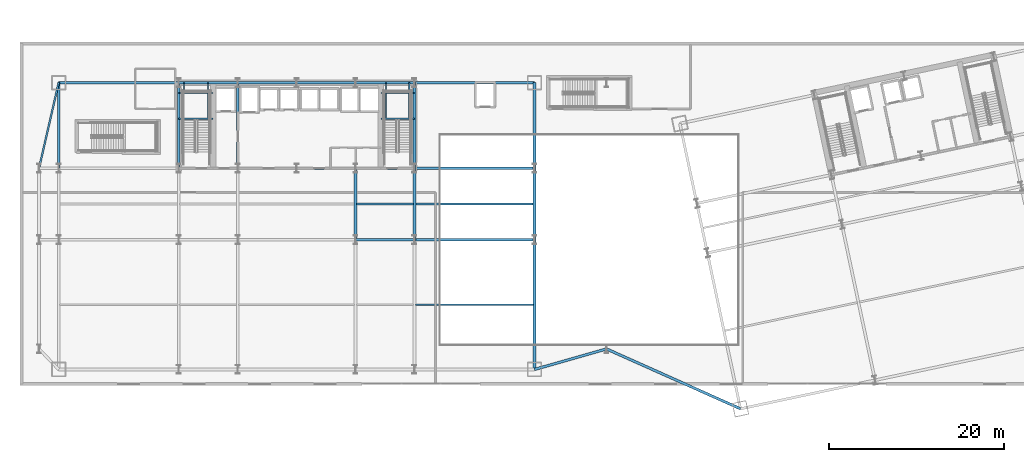
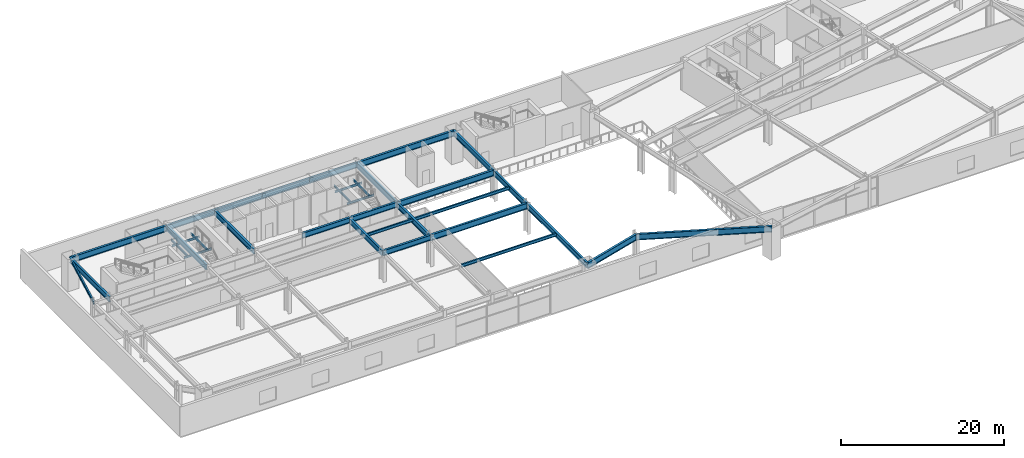
# One storey, part 7 of 25: 34 beams.
"""IFC4 building model written with IfcOpenShell, lengths in metres."""

import ifcopenshell
import ifcopenshell.guid

model = None  # the IFC model being written
_history = None  # IfcOwnerHistory: only IFC2X3 demands one
_inside = {}  # id of a spatial element -> (the spatial element, [elements in it])
_under = {}  # id of a project, library or spatial element -> (it, [spatial elements below it])
_declared = {}  # id of a project -> (the project, [libraries it declares])
_typed = {}  # id of a type object -> (the type object, [elements of that type])
_made_of = {}  # id of a material, layer set ... -> (it, [elements and type objects made of it])


def new_model(schema):
    """Start an empty IFC model of exactly this schema.

    Asked for "IFC4X3", IfcOpenShell would pick the latest addendum, in which some entities
    have other attributes; the version numbers below select the first issue.
    IFC2X3 requires an IfcOwnerHistory on every rooted entity: one is made here for all.
    """
    global model, _history
    if schema == "IFC4X3":
        model = ifcopenshell.file(schema_version=(4, 3, 0, 0))
    else:
        model = ifcopenshell.file(schema=schema)
    _inside.clear()
    _under.clear()
    _declared.clear()
    _typed.clear()
    _made_of.clear()
    _history = None
    if model.schema == "IFC2X3":
        org = make("IfcOrganization", Name="unknown")
        user = make(
            "IfcPersonAndOrganization",
            ThePerson=make("IfcPerson", FamilyName="unknown"),
            TheOrganization=org,
        )
        app = make(
            "IfcApplication",
            ApplicationDeveloper=org,
            Version="unknown",
            ApplicationFullName="unknown",
            ApplicationIdentifier="unknown",
        )
        _history = make(
            "IfcOwnerHistory",
            OwningUser=user,
            OwningApplication=app,
            ChangeAction="ADDED",
            CreationDate=0,
        )
    return model


def make(cls, **values):
    """One entity of the class cls with the attributes given. An attribute that is None is left unset."""
    return model.create_entity(
        cls, **{name: value for name, value in values.items() if value is not None}
    )


def rooted(cls, **values):
    """An entity with a GlobalId (a new one), such as an element, a storey or a relation."""
    return make(cls, GlobalId=ifcopenshell.guid.new(), OwnerHistory=_history, **values)


def si_unit(unit_type, name, prefix=None):
    """IfcSIUnit, for example si_unit("LENGTHUNIT", "METRE", prefix="MILLI")."""
    return make("IfcSIUnit", UnitType=unit_type, Prefix=prefix, Name=name)


def assignment(units):
    """IfcUnitAssignment: the units of a project."""
    return None if units is None else make("IfcUnitAssignment", Units=units)


def point(xyz):
    """IfcCartesianPoint."""
    return None if xyz is None else make("IfcCartesianPoint", Coordinates=xyz)


def direction(xyz):
    """IfcDirection."""
    return None if xyz is None else make("IfcDirection", DirectionRatios=xyz)


def frame(location, z_axis=None, x_axis=None):
    """IfcAxis2Placement3D, a coordinate frame: its origin and axes. An axis left out is left unset."""
    return make(
        "IfcAxis2Placement3D",
        Location=point(location),
        Axis=direction(z_axis),
        RefDirection=direction(x_axis),
    )


def frame_2d(location, x_axis=None):
    """IfcAxis2Placement2D, a coordinate frame in the plane: its origin and x axis."""
    return make(
        "IfcAxis2Placement2D", Location=point(location), RefDirection=direction(x_axis)
    )


def origin():
    """The frame at (0, 0, 0) with its axes left unset."""
    return frame((0.0, 0.0, 0.0))


def origin_2d():
    """The frame at (0, 0) in the plane with its x axis left unset."""
    return frame_2d((0.0, 0.0))


def place(relative_to, where):
    """IfcLocalPlacement: puts the frame where relative to a parent placement (None: the world)."""
    return make(
        "IfcLocalPlacement", PlacementRelTo=relative_to, RelativePlacement=where
    )


def context(
    kind, dimensions, precision=None, world=None, true_north=None, identifier=None
):
    """IfcGeometricRepresentationContext, for example the 3D "Model" context."""
    return make(
        "IfcGeometricRepresentationContext",
        ContextIdentifier=identifier,
        ContextType=kind,
        CoordinateSpaceDimension=dimensions,
        Precision=precision,
        WorldCoordinateSystem=world,
        TrueNorth=true_north,
    )


def subcontext(parent, identifier, kind, view, scale=None):
    """IfcGeometricRepresentationSubContext, for example "Body" below "Model"."""
    return make(
        "IfcGeometricRepresentationSubContext",
        ContextIdentifier=identifier,
        ContextType=kind,
        ParentContext=parent,
        TargetScale=scale,
        TargetView=view,
    )


def project(units=None, contexts=None):
    """IfcProject with its units and contexts."""
    return rooted(
        "IfcProject",
        Name="project",
        RepresentationContexts=contexts,
        UnitsInContext=assignment(units),
    )


def spatial(cls, under=None, at=None, **own):
    """A site, building, storey or space (cls), placed at a placement, below another one or the project."""
    s = rooted(cls, ObjectPlacement=at, **own)
    if under is not None:
        _under.setdefault(under.id(), (under, []))[1].append(s)
    return s


def profile(cls, at=None, kind="AREA", **sizes):
    """A parametric profile (cls). Its sizes go by their IFC names, for example OverallWidth=200.0."""
    return make(cls, ProfileType=kind, Position=at, **sizes)


def i_section(**sizes):
    """IfcIShapeProfileDef."""
    return profile("IfcIShapeProfileDef", **sizes)


def extrude(swept, where, along, depth):
    """IfcExtrudedAreaSolid: the profile swept, set in the frame where, extruded along a direction by depth."""
    return make(
        "IfcExtrudedAreaSolid",
        SweptArea=swept,
        Position=where,
        ExtrudedDirection=direction(along),
        Depth=depth,
    )


def shape(context_of_items, identifier, shape_type, items):
    """IfcShapeRepresentation: the items that make up one representation, for example the "Body"."""
    return make(
        "IfcShapeRepresentation",
        ContextOfItems=context_of_items,
        RepresentationIdentifier=identifier,
        RepresentationType=shape_type,
        Items=items,
    )


def material(Name=None, Category=None):
    """IfcMaterial."""
    return make("IfcMaterial", Name=Name, Category=Category)


def material_profile(
    of_material, cross_section, Name=None, Category=None, Priority=None
):
    """IfcMaterialProfile: a cross section and its material."""
    return make(
        "IfcMaterialProfile",
        Name=Name,
        Material=of_material,
        Profile=cross_section,
        Priority=Priority,
        Category=Category,
    )


def profile_set(profiles, Name=None, composite=None):
    """IfcMaterialProfileSet."""
    return make(
        "IfcMaterialProfileSet",
        Name=Name,
        MaterialProfiles=profiles,
        CompositeProfile=composite,
    )


def made_of(thing, what):
    """Note that an element or type object is made of a material, layer set ...; save() writes the relation."""
    if what is not None:
        _made_of.setdefault(what.id(), (what, []))[1].append(thing)
    return thing


def type_object(cls, material=None, **own):
    """A type object (cls), such as IfcWallType, which elements share."""
    return made_of(rooted(cls, **own), material)


def element(
    cls,
    number,
    at=None,
    inside=None,
    cuts=None,
    type_object=None,
    material=None,
    context=None,
    identifier="Body",
    shape_type=None,
    held_by="IfcProductDefinitionShape",
    body=None,
    shapes=None,
    **own,
):
    """One element of the class cls, such as IfcWall. Its Tag is "e" and its number.

    at: its placement. inside: the storey or other place that contains it. cuts: it is an
    opening in that element (IfcRelVoidsElement). A single representation is given by context,
    identifier, shape_type and body (its items); several are given by shapes. held_by: the class
    of the entity that holds the representations. save() writes the other relations.
    """
    e = rooted(cls, Tag="e%d" % number, ObjectPlacement=at, **own)
    if body is not None:
        shapes = [shape(context, identifier, shape_type, body)]
    if shapes is not None:
        e.Representation = make(held_by, Representations=shapes)
    if inside is not None:
        _inside.setdefault(inside.id(), (inside, []))[1].append(e)
    if cuts is not None:
        rooted(
            "IfcRelVoidsElement", RelatingBuildingElement=cuts, RelatedOpeningElement=e
        )
    if type_object is not None:
        _typed.setdefault(type_object.id(), (type_object, []))[1].append(e)
    return made_of(e, material)


def aggregate(whole, parts):
    """IfcRelAggregates: a whole, such as a stair, and the parts it consists of."""
    return rooted("IfcRelAggregates", RelatingObject=whole, RelatedObjects=parts)


def save(model, path):
    """Write the relations noted so far, then the file.

    IfcRelAggregates (storeys below a building ...), IfcRelContainedInSpatialStructure (elements
    in a storey), IfcRelDefinesByType, IfcRelAssociatesMaterial and IfcRelDeclares: one each for
    every whole, place, type object, material and project.
    """
    for whole, parts in _under.values():
        aggregate(whole, parts)
    for where, things in _inside.values():
        rooted(
            "IfcRelContainedInSpatialStructure",
            RelatedElements=things,
            RelatingStructure=where,
        )
    for kind, things in _typed.values():
        rooted("IfcRelDefinesByType", RelatedObjects=things, RelatingType=kind)
    for what, things in _made_of.values():
        rooted("IfcRelAssociatesMaterial", RelatedObjects=things, RelatingMaterial=what)
    for by, libraries in _declared.values():
        rooted("IfcRelDeclares", RelatingContext=by, RelatedDefinitions=libraries)
    model.write(path)


model = new_model("IFC4")

# Units and contexts
model_context = context("Model", 3, precision=1e-05, world=origin(), true_north=direction((0.0, 1.0)))
body_context = subcontext(model_context, "Body", "Model", "MODEL_VIEW")
ifc_project = project(units=[si_unit("LENGTHUNIT", "METRE"), si_unit("AREAUNIT", "SQUARE_METRE"), si_unit("VOLUMEUNIT", "CUBIC_METRE"), si_unit("PLANEANGLEUNIT", "RADIAN"), si_unit("MASSUNIT", "GRAM", prefix="KILO")], contexts=[model_context])

# Site, building, storey
site_placement = place(None, origin())
site = spatial("IfcSite", under=ifc_project, at=site_placement, CompositionType="ELEMENT")
building_placement = place(site_placement, origin())
building = spatial("IfcBuilding", under=site, at=building_placement, Name="Haevon Station Towers", CompositionType="ELEMENT")
storey_placement = place(building_placement, frame((0.0, 0.0, 6.0)))
storey = spatial("IfcBuildingStorey", under=building, at=storey_placement, Name="L01", CompositionType="ELEMENT", Elevation=6.0)

# Beams
ifc_material = material(Name="Steel S355", Category="steel")
ifc_material_profile_1 = material_profile(ifc_material, i_section(OverallWidth=0.199951171875, OverallDepth=0.39990234375, WebThickness=0.008056640625, FlangeThickness=0.012939453125, at=origin_2d()), Name="H-400x200x8x13")
ifc_profile_set_1 = profile_set([ifc_material_profile_1], Name="Steel S355")
beam_type_1 = type_object("IfcBeamType", Name="BM-CANT400", PredefinedType="JOIST", material=ifc_profile_set_1)
beam_1_placement = place(storey_placement, frame((8.0, 38.199951171875, 4.300048828125), z_axis=(0.223768790916, 0.974642256529, 0.0), x_axis=(-0.974642256529, 0.223768790916, 0.0)))
element("IfcBeam", 1, at=beam_1_placement, inside=storey, type_object=beam_type_1, Name="BM-PODTERR-L01", PredefinedType="JOIST", context=body_context, shape_type="SweptSolid", body=[
    extrude(i_section(OverallWidth=0.199951171875, OverallDepth=0.39990234375, WebThickness=0.008056640625, FlangeThickness=0.012939453125, at=origin_2d()), origin(), (0.0, 0.0, 1.0), 10.054931640625),
])
ifc_material_profile_2 = material_profile(ifc_material, i_section(OverallWidth=0.199951171875, OverallDepth=0.449951171875, WebThickness=0.009033203125, FlangeThickness=0.013916015625, at=origin_2d()), Name="H-450x200x9x14")
ifc_profile_set_2 = profile_set([ifc_material_profile_2], Name="Steel S355")
beam_type_2 = type_object("IfcBeamType", Name="BM-J450", PredefinedType="JOIST", material=ifc_profile_set_2)
beam_2_placement = place(storey_placement, frame((51.110107421875, 22.574951171875, 4.27490234375), z_axis=(1.0, 0.0, 0.0), x_axis=(0.0, 1.0, 0.0)))
element("IfcBeam", 2, at=beam_2_placement, inside=storey, type_object=beam_type_2, Name="BM-T1J-L01-01-05", PredefinedType="JOIST", context=body_context, shape_type="SweptSolid", body=[
    extrude(i_section(OverallWidth=0.199951171875, OverallDepth=0.449951171875, WebThickness=0.009033203125, FlangeThickness=0.013916015625, at=origin_2d()), origin(), (0.0, 0.0, 1.0), 13.52978515625),
])
beam_3_placement = place(storey_placement, frame((44.360107421875, 34.10009765625, 4.27490234375), z_axis=(1.0, 0.0, 0.0), x_axis=(0.0, 1.0, 0.0)))
element("IfcBeam", 3, at=beam_3_placement, inside=storey, type_object=beam_type_2, Name="BM-T1J-L01-02-04", PredefinedType="JOIST", context=body_context, shape_type="SweptSolid", body=[
    extrude(i_section(OverallWidth=0.199951171875, OverallDepth=0.449951171875, WebThickness=0.009033203125, FlangeThickness=0.013916015625, at=origin_2d()), origin(), (0.0, 0.0, 1.0), 6.52978515625),
])
beam_4_placement = place(storey_placement, frame((51.110107421875, 34.10009765625, 4.27490234375), z_axis=(1.0, 0.0, 0.0), x_axis=(0.0, 1.0, 0.0)))
element("IfcBeam", 4, at=beam_4_placement, inside=storey, type_object=beam_type_2, Name="BM-T1J-L01-02-05", PredefinedType="JOIST", context=body_context, shape_type="SweptSolid", body=[
    extrude(i_section(OverallWidth=0.199951171875, OverallDepth=0.449951171875, WebThickness=0.009033203125, FlangeThickness=0.013916015625, at=origin_2d()), origin(), (0.0, 0.0, 1.0), 13.52978515625),
])
ifc_material_profile_3 = material_profile(ifc_material, i_section(OverallWidth=0.14990234375, OverallDepth=0.300048828125, WebThickness=0.006591796875, FlangeThickness=0.009033203125, at=origin_2d()), Name="H-300x150x6.5x9")
ifc_profile_set_3 = profile_set([ifc_material_profile_3], Name="Steel S355")
beam_type_3 = type_object("IfcBeamType", Name="BM-LIN300", PredefinedType="LINTEL", material=ifc_profile_set_3)
for number, where, z_axis, x_axis, name in (
    (5, (24.0, 43.864013671875, 2.050048828125), (1.0, 0.0, 0.0), (0.0, 1.0, 0.0), "BM-ST1L-L01-1-S"),
    (6, (24.0, 46.820068359375, 2.050048828125), (1.0, 0.0, 0.0), (0.0, 1.0, 0.0), "BM-ST1L-L01-1-N"),
):
    element("IfcBeam", number, at=place(storey_placement, frame(where, z_axis=z_axis, x_axis=x_axis)), inside=storey, type_object=beam_type_3, Name=name, PredefinedType="LINTEL", context=body_context, shape_type="SweptSolid", body=[
        extrude(i_section(OverallWidth=0.14990234375, OverallDepth=0.300048828125, WebThickness=0.006591796875, FlangeThickness=0.009033203125, at=origin_2d()), origin(), (0.0, 0.0, 1.0), 3.949951171875),
    ])
for number, where, z_axis, x_axis, name in (
    (7, (24.60009765625, 43.864013671875, 2.050048828125), (0.0, 1.0, 0.0), (-1.0, 0.0, 0.0), "BM-ST1L-L01-1-W"),
    (8, (27.35009765625, 43.864013671875, 2.050048828125), (0.0, 1.0, 0.0), (-1.0, 0.0, 0.0), "BM-ST1L-L01-1-E"),
):
    element("IfcBeam", number, at=place(storey_placement, frame(where, z_axis=z_axis, x_axis=x_axis)), inside=storey, type_object=beam_type_3, Name=name, PredefinedType="LINTEL", context=body_context, shape_type="SweptSolid", body=[
        extrude(i_section(OverallWidth=0.14990234375, OverallDepth=0.300048828125, WebThickness=0.006591796875, FlangeThickness=0.009033203125, at=origin_2d()), origin(), (0.0, 0.0, 1.0), 4.135986328125),
    ])
for number, where, z_axis, x_axis, name in (
    (9, (47.14990234375, 43.864013671875, 2.050048828125), (1.0, 0.0, 0.0), (0.0, 1.0, 0.0), "BM-ST2L-L01-1-S"),
    (10, (47.14990234375, 46.820068359375, 2.050048828125), (1.0, 0.0, 0.0), (0.0, 1.0, 0.0), "BM-ST2L-L01-1-N"),
):
    element("IfcBeam", number, at=place(storey_placement, frame(where, z_axis=z_axis, x_axis=x_axis)), inside=storey, type_object=beam_type_3, Name=name, PredefinedType="LINTEL", context=body_context, shape_type="SweptSolid", body=[
        extrude(i_section(OverallWidth=0.14990234375, OverallDepth=0.300048828125, WebThickness=0.006591796875, FlangeThickness=0.009033203125, at=origin_2d()), origin(), (0.0, 0.0, 1.0), 3.85009765625),
    ])
for number, where, z_axis, x_axis, name in (
    (11, (47.75, 43.864013671875, 2.050048828125), (0.0, 1.0, 0.0), (-1.0, 0.0, 0.0), "BM-ST2L-L01-1-W"),
    (12, (50.39990234375, 43.864013671875, 2.050048828125), (0.0, 1.0, 0.0), (-1.0, 0.0, 0.0), "BM-ST2L-L01-1-E"),
):
    element("IfcBeam", number, at=place(storey_placement, frame(where, z_axis=z_axis, x_axis=x_axis)), inside=storey, type_object=beam_type_3, Name=name, PredefinedType="LINTEL", context=body_context, shape_type="SweptSolid", body=[
        extrude(i_section(OverallWidth=0.14990234375, OverallDepth=0.300048828125, WebThickness=0.006591796875, FlangeThickness=0.009033203125, at=origin_2d()), origin(), (0.0, 0.0, 1.0), 4.135986328125),
    ])
ifc_material_profile_4 = material_profile(ifc_material, i_section(OverallWidth=0.300048828125, OverallDepth=0.800048828125, WebThickness=0.013916015625, FlangeThickness=0.02587890625, at=origin_2d()), Name="H-800x300x14x26")
ifc_profile_set_4 = profile_set([ifc_material_profile_4], Name="Steel S355")
beam_type_4 = type_object("IfcBeamType", Name="BM-PG800", PredefinedType="BEAM", material=ifc_profile_set_4)
for number, where, z_axis, x_axis, name in (
    (13, (44.25, 30.0, 4.10009765625), (1.0, 0.0, 0.0), (0.0, 1.0, 0.0), "BM-T1X-L01-02-05"),
    (14, (37.5, 38.199951171875, 4.10009765625), (1.0, 0.0, 0.0), (0.0, 1.0, 0.0), "BM-T1X-L01-03-04"),
    (15, (44.25, 38.199951171875, 4.10009765625), (1.0, 0.0, 0.0), (0.0, 1.0, 0.0), "BM-T1X-L01-03-05"),
    (16, (24.0, 48.0, 4.10009765625), (1.0, 0.0, 0.0), (0.0, 1.0, 0.0), "BM-T1X-L01-04-02"),
    (17, (30.75, 48.0, 4.10009765625), (1.0, 0.0, 0.0), (0.0, 1.0, 0.0), "BM-T1X-L01-04-03"),
    (18, (37.5, 48.0, 4.10009765625), (1.0, 0.0, 0.0), (0.0, 1.0, 0.0), "BM-T1X-L01-04-04"),
    (19, (44.25, 48.0, 4.10009765625), (1.0, 0.0, 0.0), (0.0, 1.0, 0.0), "BM-T1X-L01-04-05"),
):
    element("IfcBeam", number, at=place(storey_placement, frame(where, z_axis=z_axis, x_axis=x_axis)), inside=storey, type_object=beam_type_4, Name=name, PredefinedType="BEAM", context=body_context, shape_type="SweptSolid", body=[
        extrude(i_section(OverallWidth=0.300048828125, OverallDepth=0.800048828125, WebThickness=0.013916015625, FlangeThickness=0.02587890625, at=origin_2d()), origin(), (0.0, 0.0, 1.0), 6.75),
    ])
for number, where, z_axis, x_axis, name in (
    (20, (10.25, 38.199951171875, 4.10009765625), (0.0, 1.0, 0.0), (-1.0, 0.0, 0.0), "BM-T1Y-L01-01-03"),
    (21, (24.0, 38.199951171875, 4.10009765625), (0.0, 1.0, 0.0), (-1.0, 0.0, 0.0), "BM-T1Y-L01-02-03"),
    (22, (30.75, 38.199951171875, 4.10009765625), (0.0, 1.0, 0.0), (-1.0, 0.0, 0.0), "BM-T1Y-L01-03-03"),
):
    element("IfcBeam", number, at=place(storey_placement, frame(where, z_axis=z_axis, x_axis=x_axis)), inside=storey, type_object=beam_type_4, Name=name, PredefinedType="BEAM", context=body_context, shape_type="SweptSolid", body=[
        extrude(i_section(OverallWidth=0.300048828125, OverallDepth=0.800048828125, WebThickness=0.013916015625, FlangeThickness=0.02587890625, at=origin_2d()), origin(), (0.0, 0.0, 1.0), 9.800048828125),
    ])
for number, where, z_axis, x_axis, name in (
    (23, (44.25, 30.0, 4.10009765625), (0.0, 1.0, 0.0), (-1.0, 0.0, 0.0), "BM-T1Y-L01-05-02"),
    (24, (51.0, 30.0, 4.10009765625), (0.0, 1.0, 0.0), (-1.0, 0.0, 0.0), "BM-T1Y-L01-06-02"),
):
    element("IfcBeam", number, at=place(storey_placement, frame(where, z_axis=z_axis, x_axis=x_axis)), inside=storey, type_object=beam_type_4, Name=name, PredefinedType="BEAM", context=body_context, shape_type="SweptSolid", body=[
        extrude(i_section(OverallWidth=0.300048828125, OverallDepth=0.800048828125, WebThickness=0.013916015625, FlangeThickness=0.02587890625, at=origin_2d()), origin(), (0.0, 0.0, 1.0), 8.199951171875),
    ])
beam_5_placement = place(storey_placement, frame((51.0, 38.199951171875, 4.10009765625), z_axis=(0.0, 1.0, 0.0), x_axis=(-1.0, 0.0, 0.0)))
element("IfcBeam", 25, at=beam_5_placement, inside=storey, type_object=beam_type_4, Name="BM-T1Y-L01-06-03", PredefinedType="BEAM", context=body_context, shape_type="SweptSolid", body=[
    extrude(i_section(OverallWidth=0.300048828125, OverallDepth=0.800048828125, WebThickness=0.013916015625, FlangeThickness=0.02587890625, at=origin_2d()), origin(), (0.0, 0.0, 1.0), 9.800048828125),
])
beam_6_placement = place(storey_placement, frame((64.75, 15.14990234375, 4.10009765625), z_axis=(0.0, 1.0, 0.0), x_axis=(-1.0, 0.0, 0.0)))
element("IfcBeam", 26, at=beam_6_placement, inside=storey, type_object=beam_type_4, Name="BM-T1Y-L01-07-01", PredefinedType="BEAM", context=body_context, shape_type="SweptSolid", body=[
    extrude(i_section(OverallWidth=0.300048828125, OverallDepth=0.800048828125, WebThickness=0.013916015625, FlangeThickness=0.02587890625, at=origin_2d()), origin(), (0.0, 0.0, 1.0), 14.85009765625),
])
beam_7_placement = place(storey_placement, frame((64.75, 30.0, 4.10009765625), z_axis=(0.0, 1.0, 0.0), x_axis=(-1.0, 0.0, 0.0)))
element("IfcBeam", 27, at=beam_7_placement, inside=storey, type_object=beam_type_4, Name="BM-T1Y-L01-07-02", PredefinedType="BEAM", context=body_context, shape_type="SweptSolid", body=[
    extrude(i_section(OverallWidth=0.300048828125, OverallDepth=0.800048828125, WebThickness=0.013916015625, FlangeThickness=0.02587890625, at=origin_2d()), origin(), (0.0, 0.0, 1.0), 8.199951171875),
])
beam_8_placement = place(storey_placement, frame((64.75, 38.199951171875, 4.10009765625), z_axis=(0.0, 1.0, 0.0), x_axis=(-1.0, 0.0, 0.0)))
element("IfcBeam", 28, at=beam_8_placement, inside=storey, type_object=beam_type_4, Name="BM-T1Y-L01-07-03", PredefinedType="BEAM", context=body_context, shape_type="SweptSolid", body=[
    extrude(i_section(OverallWidth=0.300048828125, OverallDepth=0.800048828125, WebThickness=0.013916015625, FlangeThickness=0.02587890625, at=origin_2d()), origin(), (0.0, 0.0, 1.0), 9.800048828125),
])
ifc_material_profile_5 = material_profile(ifc_material, i_section(OverallWidth=0.300048828125, OverallDepth=0.89990234375, WebThickness=0.01611328125, FlangeThickness=0.028076171875, at=origin_2d()), Name="H-900x300x16x28")
ifc_profile_set_5 = profile_set([ifc_material_profile_5], Name="Steel S355")
beam_type_5 = type_object("IfcBeamType", Name="BM-PG900", PredefinedType="BEAM", material=ifc_profile_set_5)
for number, where, z_axis, x_axis, name in (
    (29, (51.0, 30.0, 4.050048828125), (1.0, 0.0, 0.0), (0.0, 1.0, 0.0), "BM-T1X-L01-02-06"),
    (30, (51.0, 38.199951171875, 4.050048828125), (1.0, 0.0, 0.0), (0.0, 1.0, 0.0), "BM-T1X-L01-03-06"),
    (31, (10.25, 48.0, 4.050048828125), (1.0, 0.0, 0.0), (0.0, 1.0, 0.0), "BM-T1X-L01-04-01"),
    (32, (51.0, 48.0, 4.050048828125), (1.0, 0.0, 0.0), (0.0, 1.0, 0.0), "BM-T1X-L01-04-06"),
):
    element("IfcBeam", number, at=place(storey_placement, frame(where, z_axis=z_axis, x_axis=x_axis)), inside=storey, type_object=beam_type_5, Name=name, PredefinedType="BEAM", context=body_context, shape_type="SweptSolid", body=[
        extrude(i_section(OverallWidth=0.300048828125, OverallDepth=0.89990234375, WebThickness=0.01611328125, FlangeThickness=0.028076171875, at=origin_2d()), origin(), (0.0, 0.0, 1.0), 13.75),
    ])
beam_9_placement = place(storey_placement, frame((64.75, 15.14990234375, 4.050048828125), z_axis=(0.961740592782, 0.273961734911, 0.0), x_axis=(-0.273961734911, 0.961740592782, 0.0)))
element("IfcBeam", 33, at=beam_9_placement, inside=storey, type_object=beam_type_5, Name="BM-PODLKS1-L01", PredefinedType="BEAM", context=body_context, shape_type="SweptSolid", body=[
    extrude(i_section(OverallWidth=0.300048828125, OverallDepth=0.89990234375, WebThickness=0.01611328125, FlangeThickness=0.028076171875, at=origin_2d()), origin(), (0.0, 0.0, 1.0), 8.578125),
])
beam_10_placement = place(storey_placement, frame((73.0, 17.5, 4.050048828125), z_axis=(0.913018608866, -0.407917908242, 0.0), x_axis=(0.407917908242, 0.913018608866, 0.0)))
element("IfcBeam", 34, at=beam_10_placement, inside=storey, type_object=beam_type_5, Name="BM-PODLKS2-L01", PredefinedType="BEAM", context=body_context, shape_type="SweptSolid", body=[
    extrude(i_section(OverallWidth=0.300048828125, OverallDepth=0.89990234375, WebThickness=0.01611328125, FlangeThickness=0.028076171875, at=origin_2d()), origin(), (0.0, 0.0, 1.0), 16.80908203125),
])

save(model, "model.ifc")
